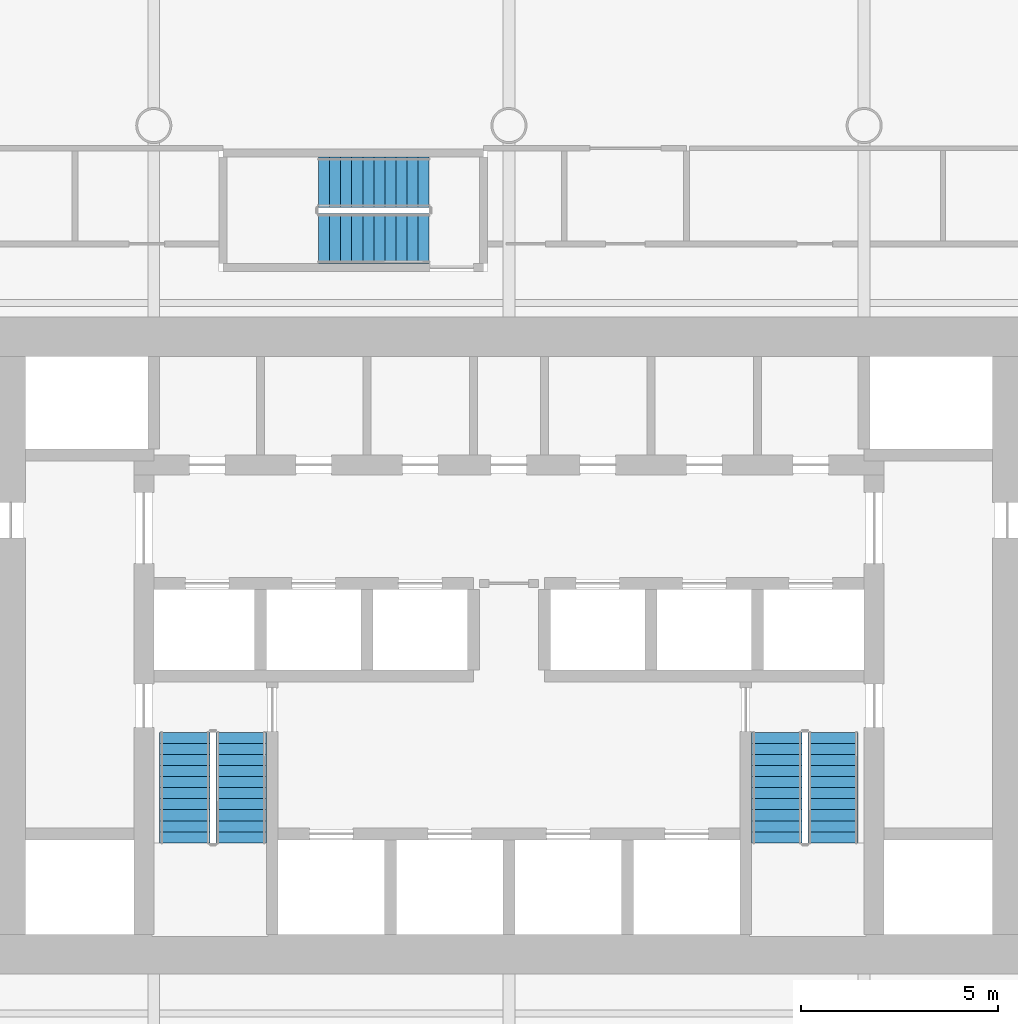
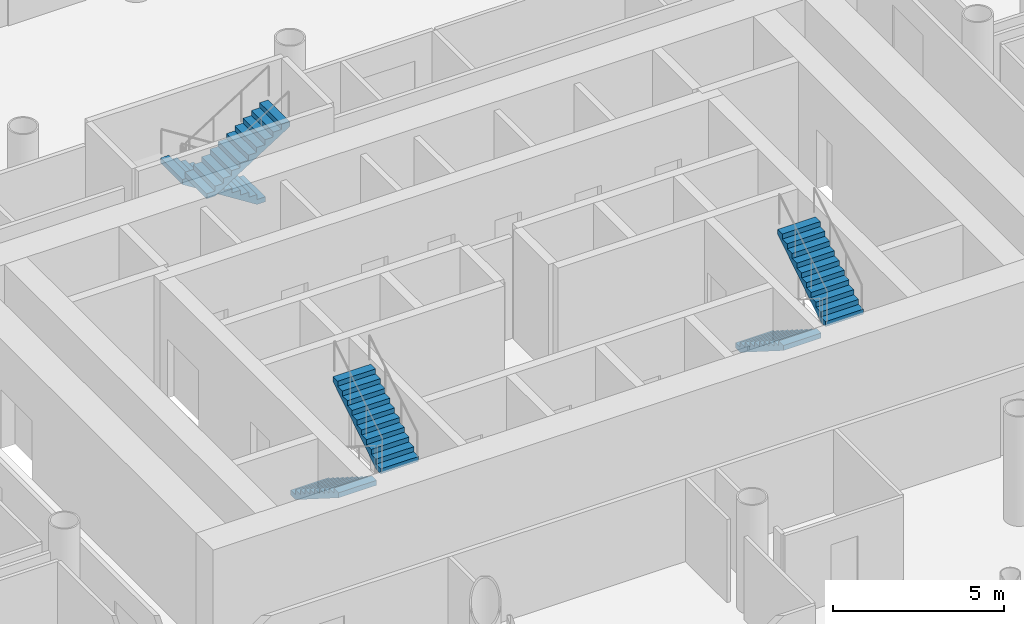
# One storey, part 18 of 23: 6 stair flights, 3 elements without a shape of their own.
"""IFC4 building model written with IfcOpenShell, lengths in metres."""

from ifc_helpers import new_model, si_unit, direction, frame, origin, place, context, subcontext, project, spatial, polyline, outline, extrude, material, type_object, element, aggregate, save


model = new_model("IFC4")

# Units and contexts
model_context = context("Model", 3, precision=1e-05, world=origin(), true_north=direction((0.0, 1.0)))
body_context = subcontext(model_context, "Body", "Model", "MODEL_VIEW")
ifc_project = project(units=[si_unit("LENGTHUNIT", "METRE"), si_unit("AREAUNIT", "SQUARE_METRE"), si_unit("VOLUMEUNIT", "CUBIC_METRE"), si_unit("PLANEANGLEUNIT", "RADIAN"), si_unit("MASSUNIT", "GRAM", prefix="KILO")], contexts=[model_context])

# Site, building, storey
site_placement = place(None, origin())
site = spatial("IfcSite", under=ifc_project, at=site_placement, CompositionType="ELEMENT")
building_placement = place(site_placement, origin())
building = spatial("IfcBuilding", under=site, at=building_placement, Name="Tskaro Facet Tower", CompositionType="ELEMENT")
storey_placement = place(building_placement, frame((0.0, 0.0, 14.699951171875)))
storey = spatial("IfcBuildingStorey", under=building, at=storey_placement, Name="L02", CompositionType="ELEMENT", Elevation=14.699951171875)

# Stair, stair flights
ifc_material = material(Name="Concrete C40/50", Category="concrete")
stair_type = type_object("IfcStairType", Name="ST-TWR", PredefinedType="HALF_TURN_STAIR", material=ifc_material)
stair_1_placement = place(storey_placement, origin())
stair_1 = element("IfcStair", 1, at=stair_1_placement, inside=storey, type_object=stair_type, Name="L02 Exit stair 1", PredefinedType="HALF_TURN_STAIR")
stair_flight_type = type_object("IfcStairFlightType", Name="SFL-RC", PredefinedType="STRAIGHT", material=ifc_material)
stair_flight_1_placement = place(storey_placement, frame((-8.21240234375, -6.375, 0.0), z_axis=(0.0, 0.0, 1.0), x_axis=(0.0, -1.0, 0.0)))
stair_flight_1 = element("IfcStairFlight", 2, at=stair_flight_1_placement, type_object=stair_flight_type, Name="ST-1 flight 1", NumberOfRisers=11, NumberOfTreads=10, PredefinedType="STRAIGHT", RiserHeight=0.177272727, TreadLength=0.28, context=body_context, shape_type="SweptSolid", body=[
    extrude(outline(polyline([(0.0, 0.0), (0.0, 0.17724609375), (0.280029296875, 0.17724609375), (0.280029296875, 0.3544921875), (0.56005859375, 0.3544921875), (0.56005859375, 0.53173828125), (0.840087890625, 0.53173828125), (0.840087890625, 0.708984375), (1.1201171875, 0.708984375), (1.1201171875, 0.886474609375), (1.39990234375, 0.886474609375), (1.39990234375, 1.063720703125), (1.679931640625, 1.063720703125), (1.679931640625, 1.240966796875), (1.9599609375, 1.240966796875), (1.9599609375, 1.418212890625), (2.239990234375, 1.418212890625), (2.239990234375, 1.595458984375), (2.52001953125, 1.595458984375), (2.52001953125, 1.772705078125), (2.800048828125, 1.772705078125), (2.800048828125, 1.949951171875), (2.800048828125, 1.59521484375), (0.2802734375, 0.0), (0.0, 0.0)])), frame((0.0, 0.637451171875, 0.0), z_axis=(0.0, -1.0, 0.0), x_axis=(1.0, 0.0, 0.0)), (0.0, 0.0, 1.0), 1.27490234375),
])
stair_flight_2_placement = place(storey_placement, frame((-6.78759765625, -9.175048828125, 1.949951171875), z_axis=(0.0, 0.0, 1.0), x_axis=(0.0, 1.0, 0.0)))
stair_flight_2 = element("IfcStairFlight", 3, at=stair_flight_2_placement, type_object=stair_flight_type, Name="ST-1 flight 2", NumberOfRisers=11, NumberOfTreads=10, PredefinedType="STRAIGHT", RiserHeight=0.177272727, TreadLength=0.28, context=body_context, shape_type="SweptSolid", body=[
    extrude(outline(polyline([(0.0, 0.0), (0.0, 0.17724609375), (0.280029296875, 0.17724609375), (0.280029296875, 0.3544921875), (0.56005859375, 0.3544921875), (0.56005859375, 0.53173828125), (0.840087890625, 0.53173828125), (0.840087890625, 0.708984375), (1.1201171875, 0.708984375), (1.1201171875, 0.886474609375), (1.39990234375, 0.886474609375), (1.39990234375, 1.063720703125), (1.679931640625, 1.063720703125), (1.679931640625, 1.240966796875), (1.9599609375, 1.240966796875), (1.9599609375, 1.418212890625), (2.239990234375, 1.418212890625), (2.239990234375, 1.595458984375), (2.52001953125, 1.595458984375), (2.52001953125, 1.772705078125), (2.800048828125, 1.772705078125), (2.800048828125, 1.949951171875), (2.800048828125, 1.59521484375), (0.2802734375, 0.0), (0.0, 0.0)])), frame((0.0, 0.637451171875, 0.0), z_axis=(0.0, -1.0, 0.0), x_axis=(1.0, 0.0, 0.0)), (0.0, 0.0, 1.0), 1.27490234375),
])
aggregate(stair_1, [stair_flight_1, stair_flight_2])

stair_2_placement = place(storey_placement, origin())
stair_2 = element("IfcStair", 4, at=stair_2_placement, inside=storey, type_object=stair_type, Name="L02 Exit stair 2", PredefinedType="HALF_TURN_STAIR")
stair_flight_3_placement = place(storey_placement, frame((6.78759765625, -6.375, 0.0), z_axis=(0.0, 0.0, 1.0), x_axis=(0.0, -1.0, 0.0)))
stair_flight_3 = element("IfcStairFlight", 5, at=stair_flight_3_placement, type_object=stair_flight_type, Name="ST-2 flight 1", NumberOfRisers=11, NumberOfTreads=10, PredefinedType="STRAIGHT", RiserHeight=0.177272727, TreadLength=0.28, context=body_context, shape_type="SweptSolid", body=[
    extrude(outline(polyline([(0.0, 0.0), (0.0, 0.17724609375), (0.280029296875, 0.17724609375), (0.280029296875, 0.3544921875), (0.56005859375, 0.3544921875), (0.56005859375, 0.53173828125), (0.840087890625, 0.53173828125), (0.840087890625, 0.708984375), (1.1201171875, 0.708984375), (1.1201171875, 0.886474609375), (1.39990234375, 0.886474609375), (1.39990234375, 1.063720703125), (1.679931640625, 1.063720703125), (1.679931640625, 1.240966796875), (1.9599609375, 1.240966796875), (1.9599609375, 1.418212890625), (2.239990234375, 1.418212890625), (2.239990234375, 1.595458984375), (2.52001953125, 1.595458984375), (2.52001953125, 1.772705078125), (2.800048828125, 1.772705078125), (2.800048828125, 1.949951171875), (2.800048828125, 1.59521484375), (0.2802734375, 0.0), (0.0, 0.0)])), frame((0.0, 0.637451171875, 0.0), z_axis=(0.0, -1.0, 0.0), x_axis=(1.0, 0.0, 0.0)), (0.0, 0.0, 1.0), 1.27490234375),
])
stair_flight_4_placement = place(storey_placement, frame((8.21240234375, -9.175048828125, 1.949951171875), z_axis=(0.0, 0.0, 1.0), x_axis=(0.0, 1.0, 0.0)))
stair_flight_4 = element("IfcStairFlight", 6, at=stair_flight_4_placement, type_object=stair_flight_type, Name="ST-2 flight 2", NumberOfRisers=11, NumberOfTreads=10, PredefinedType="STRAIGHT", RiserHeight=0.177272727, TreadLength=0.28, context=body_context, shape_type="SweptSolid", body=[
    extrude(outline(polyline([(0.0, 0.0), (0.0, 0.17724609375), (0.280029296875, 0.17724609375), (0.280029296875, 0.3544921875), (0.56005859375, 0.3544921875), (0.56005859375, 0.53173828125), (0.840087890625, 0.53173828125), (0.840087890625, 0.708984375), (1.1201171875, 0.708984375), (1.1201171875, 0.886474609375), (1.39990234375, 0.886474609375), (1.39990234375, 1.063720703125), (1.679931640625, 1.063720703125), (1.679931640625, 1.240966796875), (1.9599609375, 1.240966796875), (1.9599609375, 1.418212890625), (2.239990234375, 1.418212890625), (2.239990234375, 1.595458984375), (2.52001953125, 1.595458984375), (2.52001953125, 1.772705078125), (2.800048828125, 1.772705078125), (2.800048828125, 1.949951171875), (2.800048828125, 1.59521484375), (0.2802734375, 0.0), (0.0, 0.0)])), frame((0.0, 0.637451171875, 0.0), z_axis=(0.0, -1.0, 0.0), x_axis=(1.0, 0.0, 0.0)), (0.0, 0.0, 1.0), 1.27490234375),
])
aggregate(stair_2, [stair_flight_3, stair_flight_4])

stair_3_placement = place(storey_placement, origin())
stair_3 = element("IfcStair", 7, at=stair_3_placement, inside=storey, type_object=stair_type, Name="L02 Exit stair 3", PredefinedType="HALF_TURN_STAIR")
stair_flight_5_placement = place(storey_placement, frame((-2.02490234375, 7.5625, 0.0), z_axis=(0.0, 0.0, 1.0), x_axis=(-1.0, 0.0, 0.0)))
stair_flight_5 = element("IfcStairFlight", 8, at=stair_flight_5_placement, type_object=stair_flight_type, Name="ST-3 flight 1", NumberOfRisers=11, NumberOfTreads=10, PredefinedType="STRAIGHT", RiserHeight=0.177272727, TreadLength=0.28, context=body_context, shape_type="SweptSolid", body=[
    extrude(outline(polyline([(0.0, 0.0), (0.0, 0.17724609375), (0.280029296875, 0.17724609375), (0.280029296875, 0.3544921875), (0.56005859375, 0.3544921875), (0.56005859375, 0.53173828125), (0.840087890625, 0.53173828125), (0.840087890625, 0.708984375), (1.1201171875, 0.708984375), (1.1201171875, 0.886474609375), (1.39990234375, 0.886474609375), (1.39990234375, 1.063720703125), (1.679931640625, 1.063720703125), (1.679931640625, 1.240966796875), (1.9599609375, 1.240966796875), (1.9599609375, 1.418212890625), (2.239990234375, 1.418212890625), (2.239990234375, 1.595458984375), (2.52001953125, 1.595458984375), (2.52001953125, 1.772705078125), (2.800048828125, 1.772705078125), (2.800048828125, 1.949951171875), (2.800048828125, 1.59521484375), (0.2802734375, 0.0), (0.0, 0.0)])), frame((0.0, 0.637451171875, 0.0), z_axis=(0.0, -1.0, 0.0), x_axis=(1.0, 0.0, 0.0)), (0.0, 0.0, 1.0), 1.27490234375),
])
stair_flight_6_placement = place(storey_placement, frame((-4.824951171875, 6.137451171875, 1.949951171875), z_axis=(0.0, 0.0, 1.0), x_axis=(1.0, 0.0, 0.0)))
stair_flight_6 = element("IfcStairFlight", 9, at=stair_flight_6_placement, type_object=stair_flight_type, Name="ST-3 flight 2", NumberOfRisers=11, NumberOfTreads=10, PredefinedType="STRAIGHT", RiserHeight=0.177272727, TreadLength=0.28, context=body_context, shape_type="SweptSolid", body=[
    extrude(outline(polyline([(0.0, 0.0), (0.0, 0.17724609375), (0.280029296875, 0.17724609375), (0.280029296875, 0.3544921875), (0.56005859375, 0.3544921875), (0.56005859375, 0.53173828125), (0.840087890625, 0.53173828125), (0.840087890625, 0.708984375), (1.1201171875, 0.708984375), (1.1201171875, 0.886474609375), (1.39990234375, 0.886474609375), (1.39990234375, 1.063720703125), (1.679931640625, 1.063720703125), (1.679931640625, 1.240966796875), (1.9599609375, 1.240966796875), (1.9599609375, 1.418212890625), (2.239990234375, 1.418212890625), (2.239990234375, 1.595458984375), (2.52001953125, 1.595458984375), (2.52001953125, 1.772705078125), (2.800048828125, 1.772705078125), (2.800048828125, 1.949951171875), (2.800048828125, 1.59521484375), (0.2802734375, 0.0), (0.0, 0.0)])), frame((0.0, 0.637451171875, 0.0), z_axis=(0.0, -1.0, 0.0), x_axis=(1.0, 0.0, 0.0)), (0.0, 0.0, 1.0), 1.27490234375),
])
aggregate(stair_3, [stair_flight_5, stair_flight_6])

save(model, "model.ifc")
